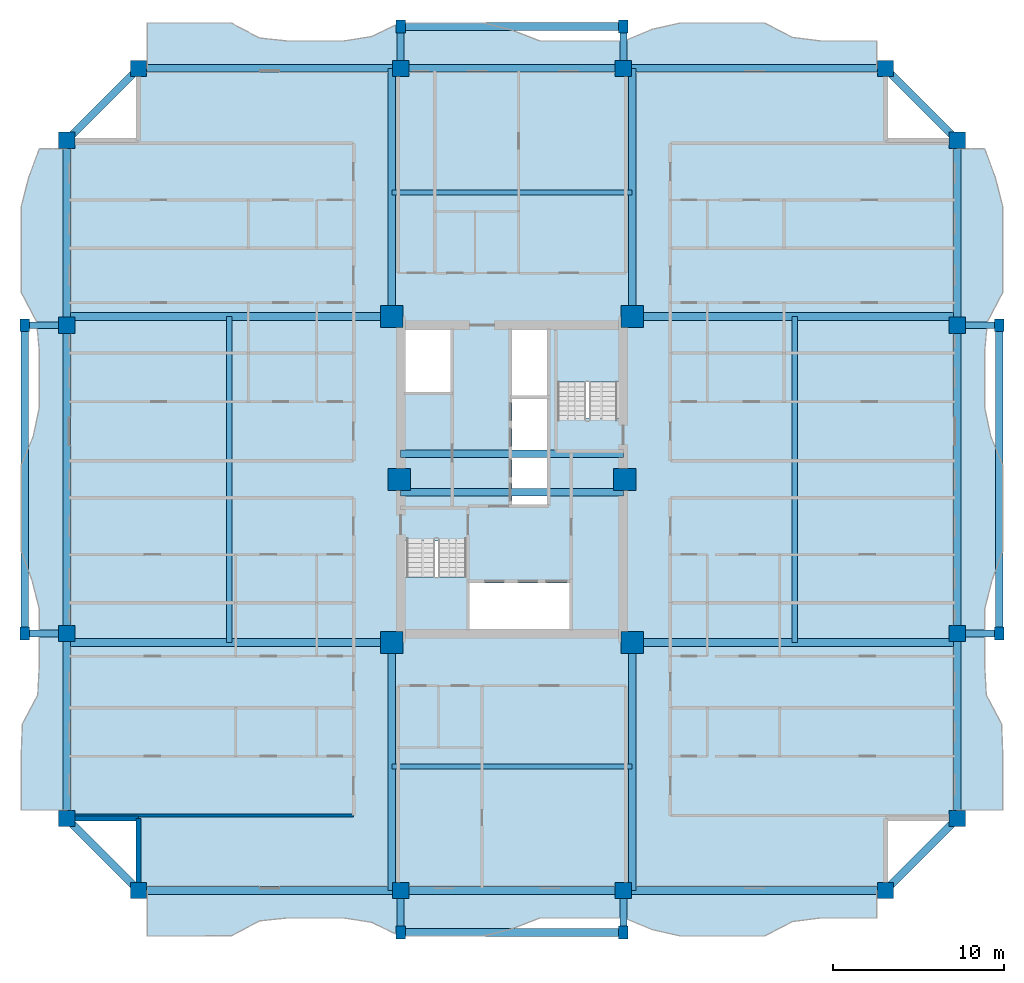
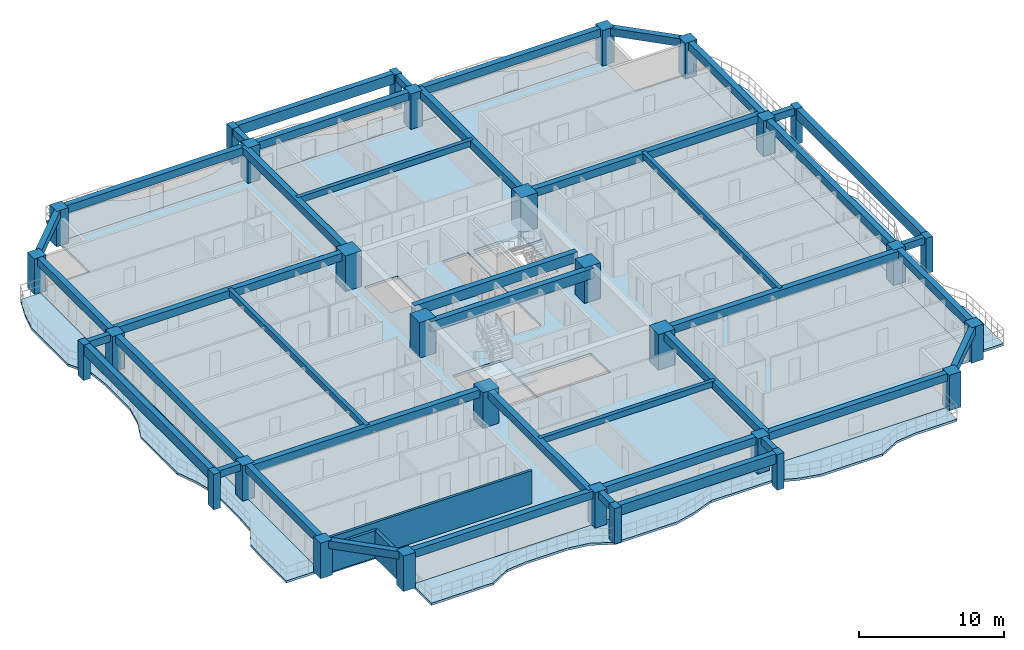
# One storey, part 1 of 13: 42 beams, 30 columns, 7 slabs, 3 walls, 2 elements without a shape of their own.
"""IFC4 building model written with IfcOpenShell, lengths in metres."""

from ifc_helpers import new_model, si_unit, direction, frame, frame_2d, origin, origin_2d, place, context, subcontext, project, spatial, polyline, rectangle, outline, extrude, source, transform, mapped, material, layer, layer_set, material_profile, profile_set, type_object, element, aggregate, save


model = new_model("IFC4")

# Units and contexts
model_context = context("Model", 3, precision=1e-05, world=origin(), true_north=direction((0.0, 1.0)))
body_context = subcontext(model_context, "Body", "Model", "MODEL_VIEW")
ifc_project = project(units=[si_unit("LENGTHUNIT", "METRE"), si_unit("AREAUNIT", "SQUARE_METRE"), si_unit("VOLUMEUNIT", "CUBIC_METRE"), si_unit("PLANEANGLEUNIT", "RADIAN"), si_unit("MASSUNIT", "GRAM", prefix="KILO")], contexts=[model_context])

# Site, building, storey
site_placement = place(None, origin())
site = spatial("IfcSite", under=ifc_project, at=site_placement, CompositionType="ELEMENT")
building_placement = place(site_placement, origin())
building = spatial("IfcBuilding", under=site, at=building_placement, Name="Saelheon Loggia Tower", CompositionType="ELEMENT")
storey_placement = place(building_placement, frame((0.0, 0.0, 92.85009765625)))
storey = spatial("IfcBuildingStorey", under=building, at=storey_placement, Name="L29", CompositionType="ELEMENT", Elevation=92.85009765625)

# Columns
ifc_material_1 = material(Name="Precast Concrete C45/55", Category="concrete")
ifc_material_profile_1 = material_profile(ifc_material_1, rectangle(XDim=0.550048828125, YDim=0.75, at=origin_2d()), Name="RC-550x750")
ifc_profile_set_1 = profile_set([ifc_material_profile_1], Name="Precast Concrete C45/55")
column_type_1 = type_object("IfcColumnType", Name="Col_Loggia_Pilaster_750", PredefinedType="PILASTER", material=ifc_profile_set_1)
shared_shape_1 = source(origin(), body_context, "Body", "SweptSolid", [
    extrude(rectangle(XDim=0.550048828125, YDim=0.75, at=origin_2d()), origin(), (0.0, 0.0, 1.0), 3.0),
])
for number, where, z_axis, x_axis, name in (
    (1, (31.5, 0.550048828125, 0.0), (0.0, 0.0, 1.0), (1.0, 0.0, 0.0), "L29 Loggia Frame Pilaster LP-S1"),
    (2, (44.5, 0.550048828125, 0.0), (0.0, 0.0, 1.0), (1.0, 0.0, 0.0), "L29 Loggia Frame Pilaster LP-S2"),
    (3, (31.5, 53.449951171875, 0.0), (0.0, 0.0, 1.0), (1.0, 0.0, 0.0), "L29 Loggia Frame Pilaster LP-N1"),
    (4, (44.5, 53.449951171875, 0.0), (0.0, 0.0, 1.0), (1.0, 0.0, 0.0), "L29 Loggia Frame Pilaster LP-N2"),
    (5, (66.449951171875, 18.0, 0.0), (0.0, 0.0, 1.0), (1.0, 0.0, 0.0), "L29 Loggia Frame Pilaster LP-E1"),
    (6, (66.449951171875, 36.0, 0.0), (0.0, 0.0, 1.0), (1.0, 0.0, 0.0), "L29 Loggia Frame Pilaster LP-E2"),
    (7, (9.550048828125, 18.0, 0.0), (0.0, 0.0, 1.0), (1.0, 0.0, 0.0), "L29 Loggia Frame Pilaster LP-W1"),
    (8, (9.550048828125, 36.0, 0.0), (0.0, 0.0, 1.0), (1.0, 0.0, 0.0), "L29 Loggia Frame Pilaster LP-W2"),
):
    element("IfcColumn", number, at=place(storey_placement, frame(where, z_axis=z_axis, x_axis=x_axis)), inside=storey, type_object=column_type_1, Name=name, PredefinedType="PILASTER", context=body_context, shape_type="MappedRepresentation", body=[
        mapped(shared_shape_1, transform((0.0, 0.0, 0.0), scale=1.0)),
    ])
ifc_material_2 = material(Name="Concrete C60/75", Category="concrete")
ifc_material_profile_2 = material_profile(ifc_material_2, rectangle(XDim=1.300048828125, YDim=1.300048828125, at=origin_2d()), Name="RC-1300x1300")
ifc_profile_set_2 = profile_set([ifc_material_profile_2], Name="Concrete C60/75")
column_type_2 = type_object("IfcColumnType", Name="Col_Core_RC1300", PredefinedType="COLUMN", material=ifc_profile_set_2)
shared_shape_2 = source(origin(), body_context, "Body", "SweptSolid", [
    extrude(rectangle(XDim=1.300048828125, YDim=1.300048828125, at=origin_2d()), origin(), (0.0, 0.0, 1.0), 3.0),
])
for number, where, z_axis, x_axis, name in (
    (9, (30.97998046875, 17.47998046875, 0.0), (0.0, 0.0, 1.0), (1.0, 0.0, 0.0), "L29 Core Column CR-SW"),
    (10, (45.02001953125, 17.47998046875, 0.0), (0.0, 0.0, 1.0), (1.0, 0.0, 0.0), "L29 Core Column CR-SE"),
    (11, (30.97998046875, 36.52001953125, 0.0), (0.0, 0.0, 1.0), (1.0, 0.0, 0.0), "L29 Core Column CR-NW"),
    (12, (45.02001953125, 36.52001953125, 0.0), (0.0, 0.0, 1.0), (1.0, 0.0, 0.0), "L29 Core Column CR-NE"),
    (13, (31.419921875, 27.0, 0.0), (0.0, 0.0, 1.0), (1.0, 0.0, 0.0), "L29 Core Column CR-MW"),
    (14, (44.580078125, 27.0, 0.0), (0.0, 0.0, 1.0), (1.0, 0.0, 0.0), "L29 Core Column CR-ME"),
):
    element("IfcColumn", number, at=place(storey_placement, frame(where, z_axis=z_axis, x_axis=x_axis)), inside=storey, type_object=column_type_2, Name=name, PredefinedType="COLUMN", context=body_context, shape_type="MappedRepresentation", body=[
        mapped(shared_shape_2, transform((0.0, 0.0, 0.0), scale=1.0)),
    ])
ifc_material_3 = material(Name="Concrete C50/60", Category="concrete")
ifc_material_profile_3 = material_profile(ifc_material_3, rectangle(XDim=0.949951171875, YDim=0.949951171875, at=origin_2d()), Name="RC-950x950")
ifc_profile_set_3 = profile_set([ifc_material_profile_3], Name="Concrete C50/60")
column_type_3 = type_object("IfcColumnType", Name="Col_Perim_RC950", PredefinedType="COLUMN", material=ifc_profile_set_3)
shared_shape_3 = source(origin(), body_context, "Body", "SweptSolid", [
    extrude(rectangle(XDim=0.949951171875, YDim=0.949951171875, at=origin_2d()), origin(), (0.0, 0.0, 1.0), 3.0),
])
for number, where, z_axis, x_axis, name in (
    (15, (16.199951171875, 3.0, 0.0), (0.0, 0.0, 1.0), (1.0, 0.0, 0.0), "L29 Perimeter Column TP-S1"),
    (16, (31.5, 3.0, 0.0), (0.0, 0.0, 1.0), (1.0, 0.0, 0.0), "L29 Perimeter Column TP-SA"),
    (17, (44.5, 3.0, 0.0), (0.0, 0.0, 1.0), (1.0, 0.0, 0.0), "L29 Perimeter Column TP-SB"),
    (18, (59.800048828125, 3.0, 0.0), (0.0, 0.0, 1.0), (1.0, 0.0, 0.0), "L29 Perimeter Column TP-S2"),
    (19, (64.0, 7.199951171875, 0.0), (0.0, 0.0, 1.0), (1.0, 0.0, 0.0), "L29 Perimeter Column TP-E1"),
    (20, (64.0, 18.0, 0.0), (0.0, 0.0, 1.0), (1.0, 0.0, 0.0), "L29 Perimeter Column TP-EA"),
    (21, (64.0, 36.0, 0.0), (0.0, 0.0, 1.0), (1.0, 0.0, 0.0), "L29 Perimeter Column TP-EB"),
    (22, (64.0, 46.800048828125, 0.0), (0.0, 0.0, 1.0), (1.0, 0.0, 0.0), "L29 Perimeter Column TP-E2"),
    (23, (59.800048828125, 51.0, 0.0), (0.0, 0.0, 1.0), (1.0, 0.0, 0.0), "L29 Perimeter Column TP-N2"),
    (24, (44.5, 51.0, 0.0), (0.0, 0.0, 1.0), (1.0, 0.0, 0.0), "L29 Perimeter Column TP-NB"),
    (25, (31.5, 51.0, 0.0), (0.0, 0.0, 1.0), (1.0, 0.0, 0.0), "L29 Perimeter Column TP-NA"),
    (26, (16.199951171875, 51.0, 0.0), (0.0, 0.0, 1.0), (1.0, 0.0, 0.0), "L29 Perimeter Column TP-N1"),
    (27, (12.0, 46.800048828125, 0.0), (0.0, 0.0, 1.0), (1.0, 0.0, 0.0), "L29 Perimeter Column TP-W2"),
    (28, (12.0, 36.0, 0.0), (0.0, 0.0, 1.0), (1.0, 0.0, 0.0), "L29 Perimeter Column TP-WB"),
    (29, (12.0, 18.0, 0.0), (0.0, 0.0, 1.0), (1.0, 0.0, 0.0), "L29 Perimeter Column TP-WA"),
    (30, (12.0, 7.199951171875, 0.0), (0.0, 0.0, 1.0), (1.0, 0.0, 0.0), "L29 Perimeter Column TP-W1"),
):
    element("IfcColumn", number, at=place(storey_placement, frame(where, z_axis=z_axis, x_axis=x_axis)), inside=storey, type_object=column_type_3, Name=name, PredefinedType="COLUMN", context=body_context, shape_type="MappedRepresentation", body=[
        mapped(shared_shape_3, transform((0.0, 0.0, 0.0), scale=1.0)),
    ])

# Beams
ifc_material_profile_4 = material_profile(ifc_material_3, rectangle(XDim=0.449951171875, YDim=0.85009765625, at=origin_2d()), Name="RC-450x850")
ifc_profile_set_4 = profile_set([ifc_material_profile_4], Name="Concrete C50/60")
beam_type_1 = type_object("IfcBeamType", Name="Beam_CoreLintel_RC450x850", PredefinedType="LINTEL", material=ifc_profile_set_4)
shared_shape_4 = source(origin(), body_context, "Body", "SweptSolid", [
    extrude(rectangle(XDim=0.449951171875, YDim=0.85009765625, at=origin_2d()), origin(), (0.0, 0.0, 1.0), 13.0),
])
for number, where, z_axis, x_axis, name in (
    (31, (31.5, 26.25, 2.574951171875), (1.0, 0.0, 0.0), (0.0, 1.0, 0.0), "L29 Core Coupling Lintel 1"),
    (32, (31.5, 28.5, 2.574951171875), (1.0, 0.0, 0.0), (0.0, 1.0, 0.0), "L29 Core Coupling Lintel 2"),
):
    element("IfcBeam", number, at=place(storey_placement, frame(where, z_axis=z_axis, x_axis=x_axis)), inside=storey, type_object=beam_type_1, Name=name, PredefinedType="LINTEL", context=body_context, shape_type="MappedRepresentation", body=[
        mapped(shared_shape_4, transform((0.0, 0.0, 0.0), scale=1.0)),
    ])
ifc_material_profile_5 = material_profile(ifc_material_1, rectangle(XDim=0.449951171875, YDim=0.85009765625, at=origin_2d()), Name="RC-450x850")
ifc_profile_set_5 = profile_set([ifc_material_profile_5], Name="Precast Concrete C45/55")
beam_type_2 = type_object("IfcBeamType", Name="Beam_LoggiaSpandrel_RC450x850", PredefinedType="SPANDREL", material=ifc_profile_set_5)
for number, where, z_axis, x_axis, name in (
    (33, (31.5, 0.550048828125, 2.574951171875), (1.0, 0.0, 0.0), (0.0, 1.0, 0.0), "L29 Loggia Spandrel Beam S"),
    (34, (31.5, 53.449951171875, 2.574951171875), (1.0, 0.0, 0.0), (0.0, 1.0, 0.0), "L29 Loggia Spandrel Beam N"),
):
    element("IfcBeam", number, at=place(storey_placement, frame(where, z_axis=z_axis, x_axis=x_axis)), inside=storey, type_object=beam_type_2, Name=name, PredefinedType="SPANDREL", context=body_context, shape_type="MappedRepresentation", body=[
        mapped(shared_shape_4, transform((0.0, 0.0, 0.0), scale=1.0)),
    ])
ifc_material_profile_6 = material_profile(ifc_material_1, rectangle(XDim=0.39990234375, YDim=0.60009765625, at=origin_2d()), Name="RC-400x600")
ifc_profile_set_6 = profile_set([ifc_material_profile_6], Name="Precast Concrete C45/55")
beam_type_3 = type_object("IfcBeamType", Name="Beam_LoggiaTie_RC400x600", PredefinedType="BEAM", material=ifc_profile_set_6)
shared_shape_5 = source(origin(), body_context, "Body", "SweptSolid", [
    extrude(rectangle(XDim=0.39990234375, YDim=0.60009765625, at=origin_2d()), origin(), (0.0, 0.0, 1.0), 2.449951171875),
])
for number, where, z_axis, x_axis, name in (
    (35, (31.5, 3.0, 2.699951171875), (0.0, -1.0, 0.0), (1.0, 0.0, 0.0), "L29 Loggia Frame Tie Beam LP-S1"),
    (36, (44.5, 3.0, 2.699951171875), (0.0, -1.0, 0.0), (1.0, 0.0, 0.0), "L29 Loggia Frame Tie Beam LP-S2"),
    (37, (31.5, 51.0, 2.699951171875), (0.0, 1.0, 0.0), (-1.0, 0.0, 0.0), "L29 Loggia Frame Tie Beam LP-N1"),
    (38, (44.5, 51.0, 2.699951171875), (0.0, 1.0, 0.0), (-1.0, 0.0, 0.0), "L29 Loggia Frame Tie Beam LP-N2"),
    (39, (64.0, 18.0, 2.699951171875), (1.0, 0.0, 0.0), (0.0, 1.0, 0.0), "L29 Loggia Frame Tie Beam LP-E1"),
    (40, (64.0, 36.0, 2.699951171875), (1.0, 0.0, 0.0), (0.0, 1.0, 0.0), "L29 Loggia Frame Tie Beam LP-E2"),
    (41, (12.0, 18.0, 2.699951171875), (-1.0, 0.0, 0.0), (0.0, -1.0, 0.0), "L29 Loggia Frame Tie Beam LP-W1"),
    (42, (12.0, 36.0, 2.699951171875), (-1.0, 0.0, 0.0), (0.0, -1.0, 0.0), "L29 Loggia Frame Tie Beam LP-W2"),
):
    element("IfcBeam", number, at=place(storey_placement, frame(where, z_axis=z_axis, x_axis=x_axis)), inside=storey, type_object=beam_type_3, Name=name, PredefinedType="BEAM", context=body_context, shape_type="MappedRepresentation", body=[
        mapped(shared_shape_5, transform((0.0, 0.0, 0.0), scale=1.0)),
    ])
shared_shape_6 = source(origin(), body_context, "Body", "SweptSolid", [
    extrude(rectangle(XDim=0.449951171875, YDim=0.85009765625, at=origin_2d()), origin(), (0.0, 0.0, 1.0), 18.0),
])
for number, where, z_axis, x_axis, name in (
    (43, (66.449951171875, 18.0, 2.574951171875), (0.0, 1.0, 0.0), (-1.0, 0.0, 0.0), "L29 Loggia Spandrel Beam E"),
    (44, (9.550048828125, 18.0, 2.574951171875), (0.0, 1.0, 0.0), (-1.0, 0.0, 0.0), "L29 Loggia Spandrel Beam W"),
):
    element("IfcBeam", number, at=place(storey_placement, frame(where, z_axis=z_axis, x_axis=x_axis)), inside=storey, type_object=beam_type_2, Name=name, PredefinedType="SPANDREL", context=body_context, shape_type="MappedRepresentation", body=[
        mapped(shared_shape_6, transform((0.0, 0.0, 0.0), scale=1.0)),
    ])
ifc_material_4 = material(Name="Concrete C40/50", Category="concrete")
ifc_material_profile_7 = material_profile(ifc_material_4, rectangle(XDim=0.449951171875, YDim=0.64990234375, at=origin_2d()), Name="RC-450x650")
ifc_profile_set_7 = profile_set([ifc_material_profile_7], Name="Concrete C40/50")
beam_type_4 = type_object("IfcBeamType", Name="Beam_PerimTower_RC450x650", PredefinedType="BEAM", material=ifc_profile_set_7)
shared_shape_7 = source(origin(), body_context, "Body", "SweptSolid", [
    extrude(rectangle(XDim=0.449951171875, YDim=0.64990234375, at=origin_2d()), origin(), (0.0, 0.0, 1.0), 15.300048828125),
])
for number, where, z_axis, x_axis, name in (
    (45, (16.199951171875, 3.0, 2.6748046875), (1.0, 0.0, 0.0), (0.0, 1.0, 0.0), "L29 Perimeter Frame Girder 01"),
    (46, (44.5, 3.0, 2.6748046875), (1.0, 0.0, 0.0), (0.0, 1.0, 0.0), "L29 Perimeter Frame Girder 03"),
    (47, (59.800048828125, 51.0, 2.6748046875), (-1.0, 0.0, 0.0), (0.0, -1.0, 0.0), "L29 Perimeter Frame Girder 09"),
    (48, (31.5, 51.0, 2.6748046875), (-1.0, 0.0, 0.0), (0.0, -1.0, 0.0), "L29 Perimeter Frame Girder 11"),
):
    element("IfcBeam", number, at=place(storey_placement, frame(where, z_axis=z_axis, x_axis=x_axis)), inside=storey, type_object=beam_type_4, Name=name, PredefinedType="BEAM", context=body_context, shape_type="MappedRepresentation", body=[
        mapped(shared_shape_7, transform((0.0, 0.0, 0.0), scale=1.0)),
    ])
shared_shape_8 = source(origin(), body_context, "Body", "SweptSolid", [
    extrude(rectangle(XDim=0.449951171875, YDim=0.64990234375, at=origin_2d()), origin(), (0.0, 0.0, 1.0), 13.0),
])
for number, where, z_axis, x_axis, name in (
    (49, (31.5, 3.0, 2.6748046875), (1.0, 0.0, 0.0), (0.0, 1.0, 0.0), "L29 Perimeter Frame Girder 02"),
    (50, (44.5, 51.0, 2.6748046875), (-1.0, 0.0, 0.0), (0.0, -1.0, 0.0), "L29 Perimeter Frame Girder 10"),
):
    element("IfcBeam", number, at=place(storey_placement, frame(where, z_axis=z_axis, x_axis=x_axis)), inside=storey, type_object=beam_type_4, Name=name, PredefinedType="BEAM", context=body_context, shape_type="MappedRepresentation", body=[
        mapped(shared_shape_8, transform((0.0, 0.0, 0.0), scale=1.0)),
    ])
shared_shape_9 = source(origin(), body_context, "Body", "SweptSolid", [
    extrude(rectangle(XDim=0.449951171875, YDim=0.64990234375, at=origin_2d()), origin(), (0.0, 0.0, 1.0), 5.939697265625),
])
for number, where, z_axis, x_axis, name in (
    (51, (59.800048828125, 3.0, 2.6748046875), (0.707106781187, 0.707106781187, 0.0), (-0.707106781187, 0.707106781187, 0.0), "L29 Perimeter Frame Girder 04"),
    (52, (64.0, 46.800048828125, 2.6748046875), (-0.707106781187, 0.707106781187, 0.0), (-0.707106781187, -0.707106781187, 0.0), "L29 Perimeter Frame Girder 08"),
    (53, (16.199951171875, 51.0, 2.6748046875), (-0.707106781187, -0.707106781187, 0.0), (0.707106781187, -0.707106781187, 0.0), "L29 Perimeter Frame Girder 12"),
    (54, (12.0, 7.199951171875, 2.6748046875), (0.707106781187, -0.707106781187, 0.0), (0.707106781187, 0.707106781187, 0.0), "L29 Perimeter Frame Girder 16"),
):
    element("IfcBeam", number, at=place(storey_placement, frame(where, z_axis=z_axis, x_axis=x_axis)), inside=storey, type_object=beam_type_4, Name=name, PredefinedType="BEAM", context=body_context, shape_type="MappedRepresentation", body=[
        mapped(shared_shape_9, transform((0.0, 0.0, 0.0), scale=1.0)),
    ])
shared_shape_10 = source(origin(), body_context, "Body", "SweptSolid", [
    extrude(rectangle(XDim=0.449951171875, YDim=0.64990234375, at=origin_2d()), origin(), (0.0, 0.0, 1.0), 10.800048828125),
])
for number, where, z_axis, x_axis, name in (
    (55, (64.0, 7.199951171875, 2.6748046875), (0.0, 1.0, 0.0), (-1.0, 0.0, 0.0), "L29 Perimeter Frame Girder 05"),
    (56, (64.0, 36.0, 2.6748046875), (0.0, 1.0, 0.0), (-1.0, 0.0, 0.0), "L29 Perimeter Frame Girder 07"),
    (57, (12.0, 46.800048828125, 2.6748046875), (0.0, -1.0, 0.0), (1.0, 0.0, 0.0), "L29 Perimeter Frame Girder 13"),
    (58, (12.0, 18.0, 2.6748046875), (0.0, -1.0, 0.0), (1.0, 0.0, 0.0), "L29 Perimeter Frame Girder 15"),
):
    element("IfcBeam", number, at=place(storey_placement, frame(where, z_axis=z_axis, x_axis=x_axis)), inside=storey, type_object=beam_type_4, Name=name, PredefinedType="BEAM", context=body_context, shape_type="MappedRepresentation", body=[
        mapped(shared_shape_10, transform((0.0, 0.0, 0.0), scale=1.0)),
    ])
shared_shape_11 = source(origin(), body_context, "Body", "SweptSolid", [
    extrude(rectangle(XDim=0.449951171875, YDim=0.64990234375, at=origin_2d()), origin(), (0.0, 0.0, 1.0), 18.0),
])
for number, where, z_axis, x_axis, name in (
    (59, (64.0, 18.0, 2.6748046875), (0.0, 1.0, 0.0), (-1.0, 0.0, 0.0), "L29 Perimeter Frame Girder 06"),
    (60, (12.0, 36.0, 2.6748046875), (0.0, -1.0, 0.0), (1.0, 0.0, 0.0), "L29 Perimeter Frame Girder 14"),
):
    element("IfcBeam", number, at=place(storey_placement, frame(where, z_axis=z_axis, x_axis=x_axis)), inside=storey, type_object=beam_type_4, Name=name, PredefinedType="BEAM", context=body_context, shape_type="MappedRepresentation", body=[
        mapped(shared_shape_11, transform((0.0, 0.0, 0.0), scale=1.0)),
    ])
ifc_material_profile_8 = material_profile(ifc_material_4, rectangle(XDim=0.449951171875, YDim=0.64990234375, at=origin_2d()), Name="RC-450x650")
ifc_profile_set_8 = profile_set([ifc_material_profile_8], Name="Concrete C40/50")
beam_type_5 = type_object("IfcBeamType", Name="Beam_TowerGirder_RC450x650", PredefinedType="BEAM", material=ifc_profile_set_8)
shared_shape_12 = source(origin(), body_context, "Body", "SweptSolid", [
    extrude(rectangle(XDim=0.449951171875, YDim=0.64990234375, at=origin_2d()), origin(), (0.0, 0.0, 1.0), 14.47998046875),
])
for number, where, z_axis, x_axis, name in (
    (61, (30.97998046875, 17.47998046875, 2.6748046875), (0.0, -1.0, 0.0), (1.0, 0.0, 0.0), "L29 Radial Floor Girder RAD-SW-S"),
    (62, (45.02001953125, 17.47998046875, 2.6748046875), (0.0, -1.0, 0.0), (1.0, 0.0, 0.0), "L29 Radial Floor Girder RAD-SE-S"),
    (63, (30.97998046875, 36.52001953125, 2.6748046875), (0.0, 1.0, 0.0), (-1.0, 0.0, 0.0), "L29 Radial Floor Girder RAD-NW-N"),
    (64, (45.02001953125, 36.52001953125, 2.6748046875), (0.0, 1.0, 0.0), (-1.0, 0.0, 0.0), "L29 Radial Floor Girder RAD-NE-N"),
):
    element("IfcBeam", number, at=place(storey_placement, frame(where, z_axis=z_axis, x_axis=x_axis)), inside=storey, type_object=beam_type_5, Name=name, PredefinedType="BEAM", context=body_context, shape_type="MappedRepresentation", body=[
        mapped(shared_shape_12, transform((0.0, 0.0, 0.0), scale=1.0)),
    ])
shared_shape_13 = source(origin(), body_context, "Body", "SweptSolid", [
    extrude(rectangle(XDim=0.449951171875, YDim=0.64990234375, at=origin_2d()), origin(), (0.0, 0.0, 1.0), 18.97998046875),
])
for number, where, z_axis, x_axis, name in (
    (65, (30.97998046875, 17.47998046875, 2.6748046875), (-1.0, 0.0, 0.0), (0.0, -1.0, 0.0), "L29 Radial Floor Girder RAD-SW-W"),
    (66, (30.97998046875, 36.52001953125, 2.6748046875), (-1.0, 0.0, 0.0), (0.0, -1.0, 0.0), "L29 Radial Floor Girder RAD-NW-W"),
    (67, (45.02001953125, 17.47998046875, 2.6748046875), (1.0, 0.0, 0.0), (0.0, 1.0, 0.0), "L29 Radial Floor Girder RAD-SE-E"),
    (68, (45.02001953125, 36.52001953125, 2.6748046875), (1.0, 0.0, 0.0), (0.0, 1.0, 0.0), "L29 Radial Floor Girder RAD-NE-E"),
):
    element("IfcBeam", number, at=place(storey_placement, frame(where, z_axis=z_axis, x_axis=x_axis)), inside=storey, type_object=beam_type_5, Name=name, PredefinedType="BEAM", context=body_context, shape_type="MappedRepresentation", body=[
        mapped(shared_shape_13, transform((0.0, 0.0, 0.0), scale=1.0)),
    ])
ifc_material_profile_9 = material_profile(ifc_material_4, rectangle(XDim=0.300048828125, YDim=0.5, at=origin_2d()), Name="RC-300x500")
ifc_profile_set_9 = profile_set([ifc_material_profile_9], Name="Concrete C40/50")
beam_type_6 = type_object("IfcBeamType", Name="Beam_Joist_RC300x500", PredefinedType="JOIST", material=ifc_profile_set_9)
shared_shape_14 = source(origin(), body_context, "Body", "SweptSolid", [
    extrude(rectangle(XDim=0.300048828125, YDim=0.5, at=origin_2d()), origin(), (0.0, 0.0, 1.0), 14.0400390625),
])
for number, where, z_axis, x_axis, name in (
    (69, (30.97998046875, 10.239990234375, 2.75), (1.0, 0.0, 0.0), (0.0, 1.0, 0.0), "L29 South Floor Joist"),
    (70, (30.97998046875, 43.760009765625, 2.75), (1.0, 0.0, 0.0), (0.0, 1.0, 0.0), "L29 North Floor Joist"),
):
    element("IfcBeam", number, at=place(storey_placement, frame(where, z_axis=z_axis, x_axis=x_axis)), inside=storey, type_object=beam_type_6, Name=name, PredefinedType="JOIST", context=body_context, shape_type="MappedRepresentation", body=[
        mapped(shared_shape_14, transform((0.0, 0.0, 0.0), scale=1.0)),
    ])
shared_shape_15 = source(origin(), body_context, "Body", "SweptSolid", [
    extrude(rectangle(XDim=0.300048828125, YDim=0.5, at=origin_2d()), origin(), (0.0, 0.0, 1.0), 19.0400390625),
])
for number, where, z_axis, x_axis, name in (
    (71, (21.489990234375, 17.47998046875, 2.75), (0.0, 1.0, 0.0), (-1.0, 0.0, 0.0), "L29 West Floor Joist"),
    (72, (54.510009765625, 17.47998046875, 2.75), (0.0, 1.0, 0.0), (-1.0, 0.0, 0.0), "L29 East Floor Joist"),
):
    element("IfcBeam", number, at=place(storey_placement, frame(where, z_axis=z_axis, x_axis=x_axis)), inside=storey, type_object=beam_type_6, Name=name, PredefinedType="JOIST", context=body_context, shape_type="MappedRepresentation", body=[
        mapped(shared_shape_15, transform((0.0, 0.0, 0.0), scale=1.0)),
    ])

# Slabs
ifc_layer_1 = layer(ifc_material_1, 0.18994140625)
ifc_layer_set_1 = layer_set([ifc_layer_1], Name="Precast Concrete C45/55")
slab_type_1 = type_object("IfcSlabType", Name="Slab_Loggia_Ext_190", PredefinedType="FLOOR", material=ifc_layer_set_1)
slab_1_placement = place(storey_placement, frame((0.0, 0.0, -0.190185546875)))
element("IfcSlab", 73, at=slab_1_placement, inside=storey, type_object=slab_type_1, Name="L29 Loggia Balcony Slab S", PredefinedType="FLOOR", context=body_context, shape_type="SweptSolid", body=[
    extrude(outline(polyline([(16.699951171875, 0.35009765625), (18.33837890625, 0.35009765625), (19.976806640625, 0.35009765625), (21.615478515625, 0.353759765625), (23.25390625, 1.2275390625), (24.892333984375, 1.39990234375), (26.53076171875, 1.39990234375), (28.169189453125, 1.39990234375), (29.8076171875, 1.142578125), (31.4462890625, 0.35009765625), (33.084716796875, 0.35009765625), (34.72314453125, 0.35009765625), (36.361572265625, 0.35009765625), (38.0, 0.7685546875), (39.638427734375, 1.39990234375), (41.27685546875, 1.39990234375), (42.915283203125, 1.39990234375), (44.5537109375, 1.39990234375), (46.1923828125, 0.718505859375), (47.830810546875, 0.35009765625), (49.46923828125, 0.35009765625), (51.107666015625, 0.35009765625), (52.74609375, 0.35009765625), (54.384521484375, 1.19140625), (56.023193359375, 1.39990234375), (57.66162109375, 1.39990234375), (59.300048828125, 1.39990234375), (59.300048828125, 3.0), (16.699951171875, 3.0), (16.699951171875, 0.35009765625)])), origin(), (0.0, 0.0, 1.0), 0.190185546875),
])
slab_2_placement = place(storey_placement, frame((0.0, 0.0, -0.190185546875)))
element("IfcSlab", 74, at=slab_2_placement, inside=storey, type_object=slab_type_1, Name="L29 Loggia Balcony Slab N", PredefinedType="FLOOR", context=body_context, shape_type="SweptSolid", body=[
    extrude(outline(polyline([(16.699951171875, 51.0), (59.300048828125, 51.0), (59.300048828125, 52.60009765625), (57.66162109375, 52.60009765625), (56.023193359375, 52.60009765625), (54.384521484375, 52.80859375), (52.74609375, 53.64990234375), (51.107666015625, 53.64990234375), (49.46923828125, 53.64990234375), (47.830810546875, 53.64990234375), (46.1923828125, 53.281494140625), (44.5537109375, 52.60009765625), (42.915283203125, 52.60009765625), (41.27685546875, 52.60009765625), (39.638427734375, 52.60009765625), (38.0, 53.2314453125), (36.361572265625, 53.64990234375), (34.72314453125, 53.64990234375), (33.084716796875, 53.64990234375), (31.4462890625, 53.64990234375), (29.8076171875, 52.857421875), (28.169189453125, 52.60009765625), (26.53076171875, 52.60009765625), (24.892333984375, 52.60009765625), (23.25390625, 52.7724609375), (21.615478515625, 53.646240234375), (19.976806640625, 53.64990234375), (18.33837890625, 53.64990234375), (16.699951171875, 53.64990234375), (16.699951171875, 51.0)])), origin(), (0.0, 0.0, 1.0), 0.190185546875),
])
slab_3_placement = place(storey_placement, frame((0.0, 0.0, -0.190185546875)))
element("IfcSlab", 75, at=slab_3_placement, inside=storey, type_object=slab_type_1, Name="L29 Loggia Balcony Slab E", PredefinedType="FLOOR", context=body_context, shape_type="SweptSolid", body=[
    extrude(outline(polyline([(64.0, 7.699951171875), (66.64990234375, 7.699951171875), (66.64990234375, 9.37841796875), (66.64990234375, 11.056396484375), (66.585205078125, 12.73486328125), (65.690185546875, 14.4130859375), (65.60009765625, 16.09130859375), (65.60009765625, 17.76953125), (65.60009765625, 19.44775390625), (66.0283203125, 21.126220703125), (66.64990234375, 22.80419921875), (66.64990234375, 24.482666015625), (66.64990234375, 26.160888671875), (66.64990234375, 27.839111328125), (65.950927734375, 29.517333984375), (65.60009765625, 31.19580078125), (65.60009765625, 32.873779296875), (65.60009765625, 34.55224609375), (65.76416015625, 36.23046875), (66.64990234375, 37.90869140625), (66.64990234375, 39.5869140625), (66.64990234375, 41.26513671875), (66.64990234375, 42.943603515625), (66.2197265625, 44.62158203125), (65.60009765625, 46.300048828125), (64.0, 46.300048828125), (64.0, 7.699951171875)])), origin(), (0.0, 0.0, 1.0), 0.190185546875),
])
slab_4_placement = place(storey_placement, frame((0.0, 0.0, -0.190185546875)))
element("IfcSlab", 76, at=slab_4_placement, inside=storey, type_object=slab_type_1, Name="L29 Loggia Balcony Slab W", PredefinedType="FLOOR", context=body_context, shape_type="SweptSolid", body=[
    extrude(outline(polyline([(12.0, 7.699951171875), (12.0, 46.300048828125), (10.39990234375, 46.300048828125), (9.7802734375, 44.62158203125), (9.35009765625, 42.943603515625), (9.35009765625, 41.26513671875), (9.35009765625, 39.5869140625), (9.35009765625, 37.90869140625), (10.23583984375, 36.23046875), (10.39990234375, 34.55224609375), (10.39990234375, 32.873779296875), (10.39990234375, 31.19580078125), (10.049072265625, 29.517333984375), (9.35009765625, 27.839111328125), (9.35009765625, 26.160888671875), (9.35009765625, 24.482666015625), (9.35009765625, 22.80419921875), (9.9716796875, 21.126220703125), (10.39990234375, 19.44775390625), (10.39990234375, 17.76953125), (10.39990234375, 16.09130859375), (10.309814453125, 14.4130859375), (9.414794921875, 12.73486328125), (9.35009765625, 11.056396484375), (9.35009765625, 9.37841796875), (9.35009765625, 7.699951171875), (12.0, 7.699951171875)])), origin(), (0.0, 0.0, 1.0), 0.190185546875),
])

# Stair, slab
stair_type = type_object("IfcStairType", Name="Stair_Escape_Core", PredefinedType="HALF_TURN_STAIR", material=ifc_material_4)
stair_1_placement = place(storey_placement, origin())
stair_1 = element("IfcStair", 77, at=stair_1_placement, inside=storey, type_object=stair_type, Name="L29 Special Escape Stair ST1", PredefinedType="HALF_TURN_STAIR")
ifc_layer_2 = layer(ifc_material_4, 0.199951171875)
ifc_layer_set_2 = layer_set([ifc_layer_2], Name="Concrete C40/50")
slab_type_2 = type_object("IfcSlabType", Name="Slab_StairLanding_ST1", PredefinedType="LANDING", material=ifc_layer_set_2)
slab_5_placement = place(storey_placement, frame((0.0, 0.0, 1.2998046875)))
slab_5 = element("IfcSlab", 78, at=slab_5_placement, type_object=slab_type_2, Name="ST1 landing 1", PredefinedType="LANDING", context=body_context, shape_type="SweptSolid", body=[
    extrude(outline(polyline([(31.7099609375, 21.31005859375), (31.7099609375, 18.2099609375), (35.469970703125, 18.2099609375), (35.469970703125, 21.31005859375), (31.7099609375, 21.31005859375)])), origin(), (0.0, 0.0, 1.0), 0.2001953125),
])
aggregate(stair_1, [slab_5])

stair_2_placement = place(storey_placement, origin())
stair_2 = element("IfcStair", 79, at=stair_2_placement, inside=storey, type_object=stair_type, Name="L29 Special Escape Stair ST2", PredefinedType="HALF_TURN_STAIR")
ifc_layer_3 = layer(ifc_material_4, 0.199951171875)
ifc_layer_set_3 = layer_set([ifc_layer_3], Name="Concrete C40/50")
slab_type_3 = type_object("IfcSlabType", Name="Slab_StairLanding_ST2", PredefinedType="LANDING", material=ifc_layer_set_3)
slab_6_placement = place(storey_placement, frame((0.0, 0.0, 1.2998046875)))
slab_6 = element("IfcSlab", 80, at=slab_6_placement, type_object=slab_type_3, Name="ST2 landing 1", PredefinedType="LANDING", context=body_context, shape_type="SweptSolid", body=[
    extrude(outline(polyline([(44.2900390625, 32.68994140625), (44.2900390625, 35.7900390625), (40.530029296875, 35.7900390625), (40.530029296875, 32.68994140625), (44.2900390625, 32.68994140625)])), origin(), (0.0, 0.0, 1.0), 0.2001953125),
])
aggregate(stair_2, [slab_6])

# Slab
ifc_layer_4 = layer(ifc_material_4, 0.2099609375)
ifc_layer_set_4 = layer_set([ifc_layer_4], Name="Concrete C40/50")
slab_type_4 = type_object("IfcSlabType", Name="Slab_Tower_210", PredefinedType="FLOOR", material=ifc_layer_set_4)
slab_7_placement = place(storey_placement, frame((0.0, 0.0, -0.210205078125)))
element("IfcSlab", 81, at=slab_7_placement, inside=storey, type_object=slab_type_4, Name="L29 Tower Floor Slab", PredefinedType="FLOOR", context=body_context, shape_type="SweptSolid", body=[
    extrude(outline(polyline([(16.199951171875, 3.0), (59.800048828125, 3.0), (59.800048828125, 7.199951171875), (64.0, 7.199951171875), (64.0, 46.800048828125), (59.800048828125, 46.800048828125), (59.800048828125, 51.0), (16.199951171875, 51.0), (16.199951171875, 46.800048828125), (12.0, 46.800048828125), (12.0, 7.199951171875), (16.199951171875, 7.199951171875), (16.199951171875, 3.0)]), holes=[polyline([(31.699951171875, 23.409912109375), (31.699951171875, 18.199951171875), (35.47998046875, 18.199951171875), (35.47998046875, 23.409912109375), (31.699951171875, 23.409912109375)]), polyline([(44.300048828125, 30.590087890625), (44.300048828125, 35.800048828125), (40.52001953125, 35.800048828125), (40.52001953125, 30.590087890625), (44.300048828125, 30.590087890625)]), polyline([(35.530029296875, 18.27490234375), (41.35009765625, 18.27490234375), (41.35009765625, 20.9599609375), (35.530029296875, 20.9599609375), (35.530029296875, 18.27490234375)]), polyline([(31.77490234375, 32.1201171875), (34.419921875, 32.1201171875), (34.419921875, 35.72509765625), (31.77490234375, 35.72509765625), (31.77490234375, 32.1201171875)]), polyline([(38.0, 31.89990234375), (40.050048828125, 31.89990234375), (40.050048828125, 35.72509765625), (38.0, 35.72509765625), (38.0, 31.89990234375)]), polyline([(38.0, 25.5400390625), (40.050048828125, 25.5400390625), (40.050048828125, 31.699951171875), (38.0, 31.699951171875), (38.0, 25.5400390625)])]), origin(), (0.0, 0.0, 1.0), 0.210205078125),
])

# Walls
ifc_material_5 = material(Name="Architectural Precast Concrete C40/50", Category="concrete")
ifc_layer_5 = layer(ifc_material_5, 0.280029296875)
ifc_layer_set_5 = layer_set([ifc_layer_5], Name="Architectural Precast Concrete C40/50")
wall_type_1 = type_object("IfcWallType", Name="Wall_Ext_Loggia_280", PredefinedType="SOLIDWALL", material=ifc_layer_set_5)
for number, where, z_axis, x_axis, name in (
    (82, (16.199951171875, 3.080078125, 0.0), (0.0, 0.0, 1.0), (0.0, 1.0, 0.0), "L29 Corner Notch Precast Wall SW1"),
    (83, (12.080078125, 7.199951171875, 0.0), (0.0, 0.0, 1.0), (1.0, 0.0, 0.0), "L29 Corner Notch Precast Wall SW2"),
):
    element("IfcWall", number, at=place(storey_placement, frame(where, z_axis=z_axis, x_axis=x_axis)), inside=storey, type_object=wall_type_1, Name=name, PredefinedType="SOLIDWALL", context=body_context, shape_type="SweptSolid", body=[
        extrude(rectangle(XDim=4.119873046875, YDim=0.280029296875, at=frame_2d((2.06005859375, 0.0))), origin(), (0.0, 0.0, 1.0), 2.27978515625),
    ])
ifc_material_6 = material(Name="Double Acoustic Stud and Fireboard Partition", Category="gypsum")
ifc_layer_6 = layer(ifc_material_6, 0.199951171875)
ifc_layer_set_6 = layer_set([ifc_layer_6], Name="Double Acoustic Stud and Fireboard Partition")
wall_type_2 = type_object("IfcWallType", Name="Wall_Party_200", PredefinedType="PARTITIONING", material=ifc_layer_set_6)
wall_placement = place(storey_placement, frame((28.75, 7.3798828125, 0.0), z_axis=(0.0, 0.0, 1.0), x_axis=(-1.0, 0.0, 0.0)))
element("IfcWall", 84, at=wall_placement, inside=storey, type_object=wall_type_2, Name="L29 WS Partition U01", PredefinedType="PARTITIONING", context=body_context, shape_type="SweptSolid", body=[
    extrude(rectangle(XDim=16.60009765625, YDim=0.199951171875, at=frame_2d((8.300048828125, 0.0))), origin(), (0.0, 0.0, 1.0), 2.789794921875),
])

save(model, "model.ifc")
